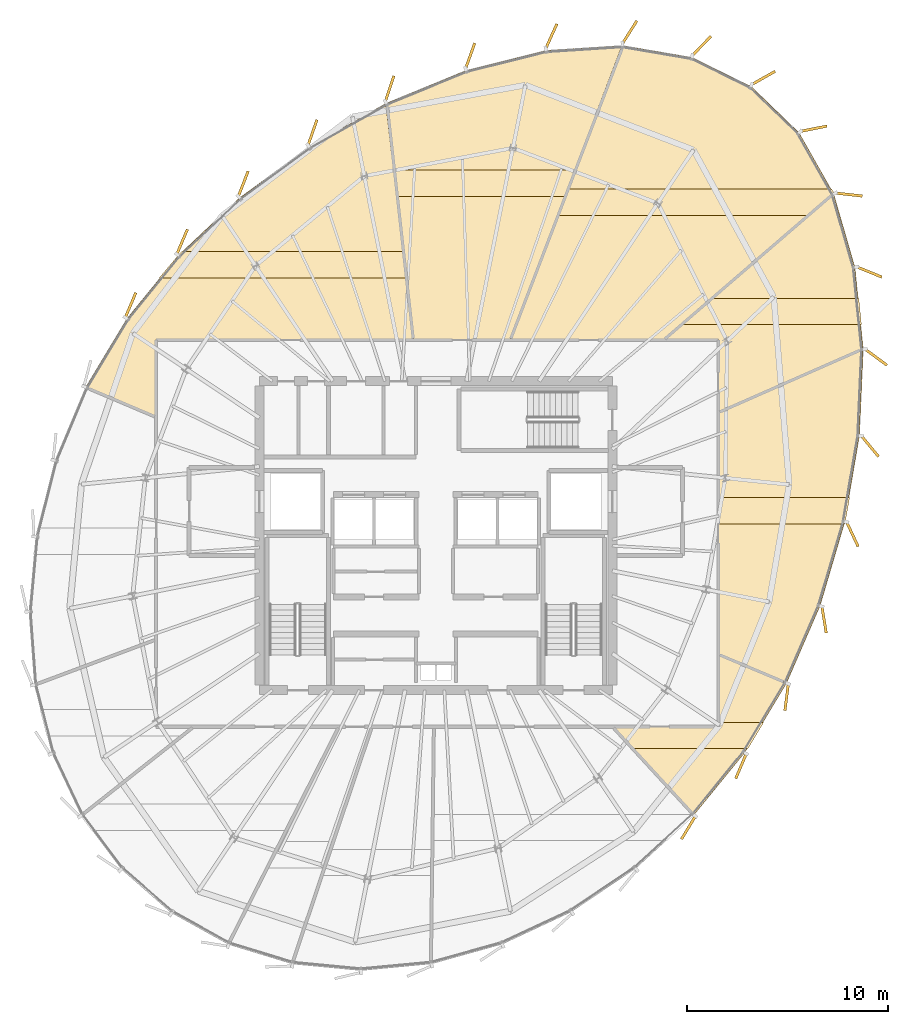
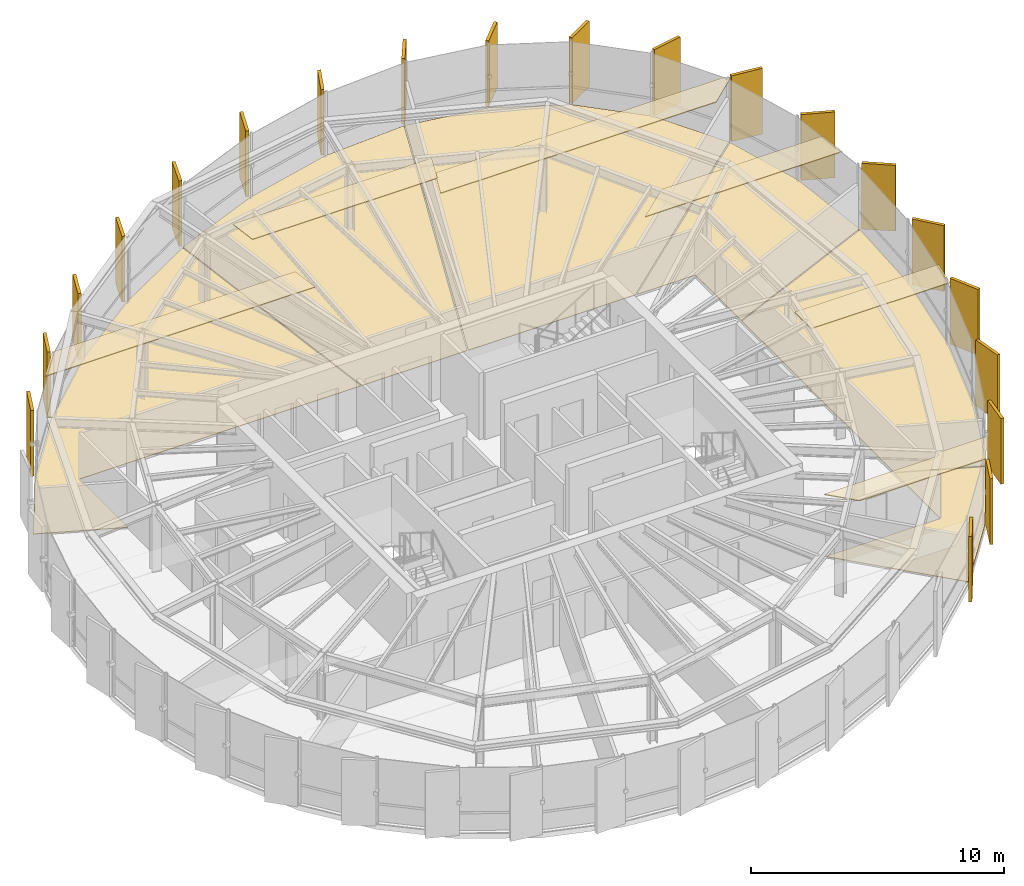
# One storey, part 33 of 33: 32 coverings.
"""IFC4 building model written with IfcOpenShell, lengths in metres."""

from ifc_helpers import new_model, si_unit, direction, frame, origin, origin_2d, place, context, subcontext, project, spatial, polyline, rectangle, outline, extrude, source, transform, mapped, material, layer, layer_set, type_object, element, save


model = new_model("IFC4")

# Units and contexts
model_context = context("Model", 3, precision=1e-05, world=origin(), true_north=direction((0.0, 1.0)))
body_context = subcontext(model_context, "Body", "Model", "MODEL_VIEW")
ifc_project = project(units=[si_unit("LENGTHUNIT", "METRE"), si_unit("AREAUNIT", "SQUARE_METRE"), si_unit("VOLUMEUNIT", "CUBIC_METRE"), si_unit("PLANEANGLEUNIT", "RADIAN"), si_unit("MASSUNIT", "GRAM", prefix="KILO"), si_unit("THERMODYNAMICTEMPERATUREUNIT", "KELVIN")], contexts=[model_context])

# Site, building, storey
site_placement = place(None, origin())
site = spatial("IfcSite", under=ifc_project, at=site_placement, CompositionType="ELEMENT")
building_placement = place(site_placement, origin())
building = spatial("IfcBuilding", under=site, at=building_placement, Name="Kethvar Cultural Tower", CompositionType="ELEMENT")
storey_placement = place(building_placement, frame((0.0, 0.0, 256.0)))
storey = spatial("IfcBuildingStorey", under=building, at=storey_placement, Name="L67", CompositionType="ELEMENT", Elevation=256.0)

# Coverings
ifc_material_1 = material(Name="Acoustic Mineral Fibre Ceiling")
ifc_layer_1 = layer(ifc_material_1, 0.0400390625, Name="Acoustic Mineral Fibre Ceiling")
ifc_layer_set_1 = layer_set([ifc_layer_1], Name="Acoustic Mineral Fibre Ceiling (40 mm)")
covering_type_1 = type_object("IfcCoveringType", Name="CV-ACOUSTIC-CEIL", PredefinedType="CEILING", material=ifc_layer_set_1)
covering_1_placement = place(storey_placement, frame((0.0, 0.0, 3.0)))
element("IfcCovering", 1, at=covering_1_placement, inside=storey, type_object=covering_type_1, Name="L67 Room 06 Acoustic Ceiling Panel", PredefinedType="CEILING", context=body_context, shape_type="SweptSolid", body=[
    extrude(outline(polyline([(55.59912109375, 18.25537109375), (60.867919921875, 18.2890625), (60.867919921875, 18.486083984375), (63.154296875, 18.486083984375), (62.365478515625, 17.176025390625), (56.597412109375, 17.176025390625), (55.59912109375, 18.25537109375)])), origin(), (0.0, 0.0, 1.0), 0.0400390625),
])
covering_2_placement = place(storey_placement, frame((0.0, 0.0, 3.0)))
element("IfcCovering", 2, at=covering_2_placement, inside=storey, type_object=covering_type_1, Name="L67 Room 07 Acoustic Ceiling Panel", PredefinedType="CEILING", context=body_context, shape_type="SweptSolid", body=[
    extrude(outline(polyline([(67.436767578125, 29.69384765625), (67.205078125, 28.3837890625), (60.867919921875, 28.3837890625), (60.867919921875, 29.69384765625), (67.436767578125, 29.69384765625)])), origin(), (0.0, 0.0, 1.0), 0.0400390625),
])
covering_3_placement = place(storey_placement, frame((0.0, 0.0, 3.0)))
element("IfcCovering", 3, at=covering_3_placement, inside=storey, type_object=covering_type_1, Name="L67 Room 08 Acoustic Ceiling Panel", PredefinedType="CEILING", context=body_context, shape_type="SweptSolid", body=[
    extrude(outline(polyline([(68.028076171875, 38.32421875), (59.028564453125, 38.32421875), (60.5546875, 39.634033203125), (67.8955078125, 39.634033203125), (68.028076171875, 38.32421875)])), origin(), (0.0, 0.0, 1.0), 0.0400390625),
])
covering_4_placement = place(storey_placement, frame((0.0, 0.0, 3.0)))
element("IfcCovering", 4, at=covering_4_placement, inside=storey, type_object=covering_type_1, Name="L67 Room 09 Acoustic Ceiling Panel", PredefinedType="CEILING", context=body_context, shape_type="SweptSolid", body=[
    extrude(outline(polyline([(66.675537109375, 44.8544921875), (65.428466796875, 43.765380859375), (52.857421875, 43.765380859375), (53.356201171875, 45.0751953125), (66.550537109375, 45.0751953125), (66.675537109375, 44.8544921875)])), origin(), (0.0, 0.0, 1.0), 0.0400390625),
])
covering_5_placement = place(storey_placement, frame((0.0, 0.0, 3.0)))
element("IfcCovering", 5, at=covering_5_placement, inside=storey, type_object=covering_type_1, Name="L67 Room 10 Acoustic Ceiling Panel", PredefinedType="CEILING", context=body_context, shape_type="SweptSolid", body=[
    extrude(outline(polyline([(53.265380859375, 44.724365234375), (44.838134765625, 44.724365234375), (44.687744140625, 46.0341796875), (53.76416015625, 46.0341796875), (53.265380859375, 44.724365234375)])), origin(), (0.0, 0.0, 1.0), 0.0400390625),
])
covering_6_placement = place(storey_placement, frame((0.0, 0.0, 3.0)))
element("IfcCovering", 6, at=covering_6_placement, inside=storey, type_object=covering_type_1, Name="L67 Room 11 Acoustic Ceiling Panel", PredefinedType="CEILING", context=body_context, shape_type="SweptSolid", body=[
    extrude(outline(polyline([(33.001708984375, 40.65283203125), (34.1103515625, 41.962890625), (45.1953125, 41.962890625), (45.345458984375, 40.65283203125), (33.001708984375, 40.65283203125)])), origin(), (0.0, 0.0, 1.0), 0.0400390625),
])
ifc_material_2 = material(Name="Architectural Oak Timber", Category="wood")
ifc_layer_2 = layer(ifc_material_2, 0.02490234375, Name="Architectural Oak Timber", Category="wood")
ifc_layer_set_2 = layer_set([ifc_layer_2], Name="Architectural Oak Timber (25 mm)")
covering_type_2 = type_object("IfcCoveringType", Name="CV-OAK-FLOOR", PredefinedType="FLOORING", material=ifc_layer_set_2)
covering_7_placement = place(storey_placement, origin())
element("IfcCovering", 7, at=covering_7_placement, inside=storey, type_object=covering_type_2, Name="L67 Room 06 Floor Finish", PredefinedType="FLOORING", context=body_context, shape_type="SweptSolid", body=[
    extrude(outline(polyline([(62.19921875, 16.977294921875), (59.685546875, 13.8955078125), (55.659423828125, 18.2490234375), (60.899169921875, 18.25244140625), (60.907958984375, 21.848388671875), (64.279052734375, 20.431396484375), (62.19921875, 16.977294921875)])), origin(), (0.0, 0.0, 1.0), 0.02490234375),
])
covering_8_placement = place(storey_placement, origin())
element("IfcCovering", 8, at=covering_8_placement, inside=storey, type_object=covering_type_2, Name="L67 Room 07 Floor Finish", PredefinedType="FLOORING", context=body_context, shape_type="SweptSolid", body=[
    extrude(outline(polyline([(67.92236328125, 32.782470703125), (67.18603515625, 28.46044921875), (65.96044921875, 24.3037109375), (64.297607421875, 20.467041015625), (60.907958984375, 21.891845703125), (60.907958984375, 33.922119140625), (68.111083984375, 37.058837890625), (67.92236328125, 32.782470703125)])), origin(), (0.0, 0.0, 1.0), 0.02490234375),
])
covering_9_placement = place(storey_placement, origin())
element("IfcCovering", 9, at=covering_9_placement, inside=storey, type_object=covering_type_2, Name="L67 Room 08 Floor Finish", PredefinedType="FLOORING", context=body_context, shape_type="SweptSolid", body=[
    extrude(outline(polyline([(67.699462890625, 41.177001953125), (68.111083984375, 37.1025390625), (60.907958984375, 33.965576171875), (60.903564453125, 37.57470703125), (58.2255859375, 37.58203125), (66.646484375, 44.81103515625), (67.699462890625, 41.177001953125)])), origin(), (0.0, 0.0, 1.0), 0.02490234375),
])
covering_10_placement = place(storey_placement, origin())
element("IfcCovering", 10, at=covering_10_placement, inside=storey, type_object=covering_type_2, Name="L67 Room 09 Floor Finish", PredefinedType="FLOORING", context=body_context, shape_type="SweptSolid", body=[
    extrude(outline(polyline([(66.631591796875, 44.85107421875), (58.164306640625, 37.58203125), (50.5458984375, 37.58203125), (56.125, 52.235107421875), (59.5673828125, 51.645751953125), (62.53466796875, 50.18798828125), (64.911376953125, 47.889892578125), (66.631591796875, 44.85107421875)])), origin(), (0.0, 0.0, 1.0), 0.02490234375),
])
covering_11_placement = place(storey_placement, origin())
element("IfcCovering", 11, at=covering_11_placement, inside=storey, type_object=covering_type_2, Name="L67 Room 10 Floor Finish", PredefinedType="FLOORING", context=body_context, shape_type="SweptSolid", body=[
    extrude(outline(polyline([(48.321044921875, 50.999267578125), (52.306640625, 51.9951171875), (56.08251953125, 52.235595703125), (50.503173828125, 37.58203125), (45.69775390625, 37.58203125), (44.345703125, 49.36669921875), (48.321044921875, 50.999267578125)])), origin(), (0.0, 0.0, 1.0), 0.02490234375),
])
covering_12_placement = place(storey_placement, origin())
element("IfcCovering", 12, at=covering_12_placement, inside=storey, type_object=covering_type_2, Name="L67 Room 11 Floor Finish", PredefinedType="FLOORING", context=body_context, shape_type="SweptSolid", body=[
    extrude(outline(polyline([(31.40087890625, 38.622802734375), (33.9599609375, 41.7666015625), (37.02001953125, 44.643310546875), (40.515869140625, 47.20458984375), (44.307861328125, 49.34716796875), (45.65771484375, 37.58203125), (32.84423828125, 37.5810546875), (32.830078125, 33.740478515625), (29.3525390625, 35.213623046875), (31.40087890625, 38.622802734375)])), origin(), (0.0, 0.0, 1.0), 0.02490234375),
])
ifc_material_3 = material(Name="Extruded Architectural Terracotta", Category="masonry")
ifc_layer_3 = layer(ifc_material_3, 0.135009765625, Name="Extruded Architectural Terracotta", Category="masonry")
ifc_layer_set_3 = layer_set([ifc_layer_3], Name="Extruded Architectural Terracotta (135 mm)")
covering_type_3 = type_object("IfcCoveringType", Name="Terracotta Facade Fin FIN-03", PredefinedType="CLADDING", material=ifc_layer_set_3)
shared_shape = source(origin(), body_context, "Body", "SweptSolid", [
    extrude(rectangle(XDim=1.35009765625, YDim=0.135009765625, at=origin_2d()), origin(), (0.0, 0.0, 1.0), 3.169921875),
])
for number, where, z_axis, x_axis, name in (
    (13, (63.13671875, 50.625, 0.02001953125), (0.0, 0.0, 1.0), (0.87001170737, 0.493031062956, 0.0), "L67 Vertical Terracotta Fin 1.1"),
    (14, (60.05908203125, 52.22607421875, 0.02001953125), (0.0, 0.0, 1.0), (0.699663340513, 0.714472679633, 0.0), "L67 Vertical Terracotta Fin 1.2"),
    (15, (56.468017578125, 52.907958984375, 0.02001953125), (0.0, 0.0, 1.0), (0.534499867271, 0.84516855827, 0.0), "L67 Vertical Terracotta Fin 1.3"),
    (16, (52.56201171875, 52.707763671875, 0.02001953125), (0.0, 0.0, 1.0), (0.411514358605, 0.911403276635, 0.0), "L67 Vertical Terracotta Fin 1.4"),
    (17, (48.513427734375, 51.727294921875, 0.02001953125), (0.0, 0.0, 1.0), (0.339394696335, 0.940644056006, 0.0), "L67 Vertical Terracotta Fin 1.5"),
    (18, (44.497314453125, 50.089599609375, 0.02001953125), (0.0, 0.0, 1.0), (0.314655203419, 0.949206038203, 0.0), "L67 Vertical Terracotta Fin 1.6"),
    (19, (40.65087890625, 47.90234375, 0.02001953125), (0.0, 0.0, 1.0), (0.329031466499, 0.944318957796, 0.0), "L67 Vertical Terracotta Fin 2.1"),
    (20, (37.196533203125, 45.34619140625, 0.02001953125), (0.0, 0.0, 1.0), (0.361461843375, 0.932386902409, 0.0), "L67 Vertical Terracotta Fin 2.2"),
    (21, (34.147705078125, 42.451904296875, 0.02001953125), (0.0, 0.0, 1.0), (0.391534271632, 0.920163525759, 0.0), "L67 Vertical Terracotta Fin 2.3"),
    (22, (31.579345703125, 39.296875, 0.02001953125), (0.0, 0.0, 1.0), (0.390570464134, 0.920573034879, 0.0), "L67 Vertical Terracotta Fin 2.4"),
    (23, (59.398681640625, 13.237060546875, 0.02001953125), (0.0, 0.0, 1.0), (-0.518027009373, -0.855364260161, 0.0), "L67 Vertical Terracotta Fin 5.3"),
    (24, (62.019775390625, 16.30322265625, 0.02001953125), (0.0, 0.0, 1.0), (-0.391534271632, -0.920163525759, 0.0), "L67 Vertical Terracotta Fin 5.4"),
    (25, (64.294921875, 19.73974609375, 0.02001953125), (0.0, 0.0, 1.0), (-0.12827634114, -0.991738463661, 0.0), "L67 Vertical Terracotta Fin 5.5"),
    (26, (66.162841796875, 23.60791015625, 0.02001953125), (0.0, 0.0, 1.0), (0.158502730052, -0.987358539015, 0.0), "L67 Vertical Terracotta Fin 5.6"),
    (27, (67.57568359375, 27.8662109375, 0.02001953125), (0.0, 0.0, 1.0), (0.422776435852, -0.906234012432, 0.0), "L67 Vertical Terracotta Fin 6.1"),
    (28, (68.452880859375, 32.257080078125, 0.02001953125), (0.0, 0.0, 1.0), (0.637961754089, -0.770068049148, 0.0), "L67 Vertical Terracotta Fin 6.2"),
    (29, (68.75537109375, 36.697265625, 0.02001953125), (0.0, 0.0, 1.0), (0.804790213963, -0.593559358034, 0.0), "L67 Vertical Terracotta Fin 6.3"),
    (30, (68.4208984375, 40.947998046875, 0.02001953125), (0.0, 0.0, 1.0), (0.925936516366, -0.377679186163, 0.0), "L67 Vertical Terracotta Fin 6.4"),
    (31, (67.397705078125, 44.81005859375, 0.02001953125), (0.0, 0.0, 1.0), (0.99367026578, -0.112336115762, 0.0), "L67 Vertical Terracotta Fin 6.5"),
    (32, (65.64501953125, 48.091796875, 0.02001953125), (0.0, 0.0, 1.0), (0.980717121283, 0.195432668772, 0.0), "L67 Vertical Terracotta Fin 6.6"),
):
    element("IfcCovering", number, at=place(storey_placement, frame(where, z_axis=z_axis, x_axis=x_axis)), inside=storey, type_object=covering_type_3, Name=name, PredefinedType="CLADDING", context=body_context, shape_type="MappedRepresentation", body=[
        mapped(shared_shape, transform((0.0, 0.0, 0.0), scale=1.0)),
    ])

save(model, "model.ifc")
